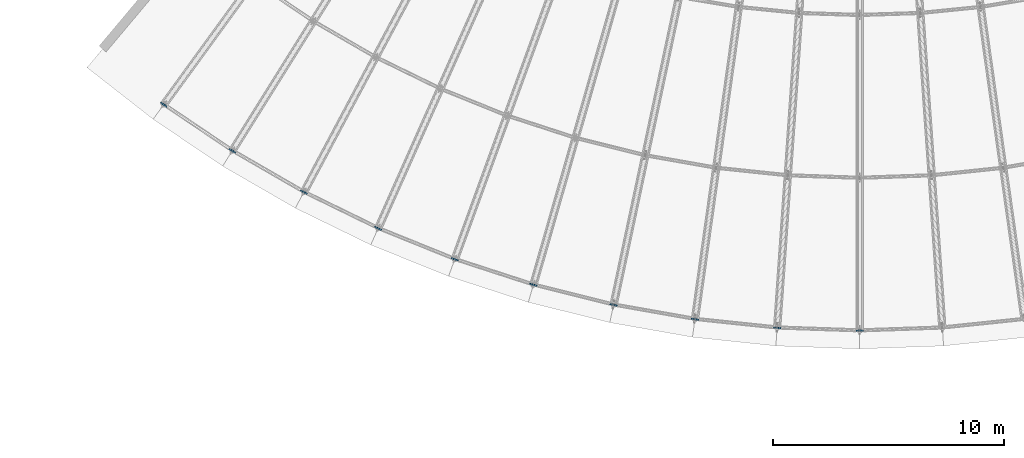
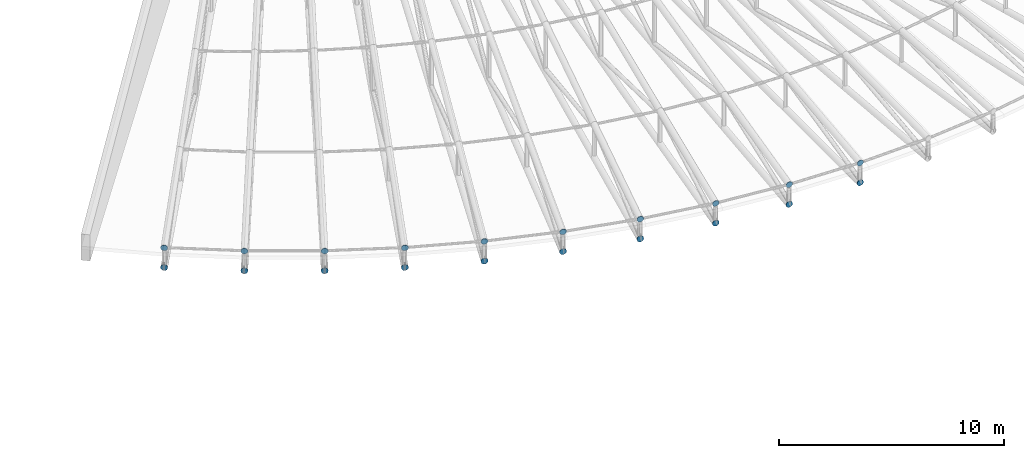
# One storey, part 106 of 163: 20 plates.
"""IFC4 building model written with IfcOpenShell, lengths in metres."""

import ifcopenshell
import ifcopenshell.guid

model = None  # the IFC model being written
_history = None  # IfcOwnerHistory: only IFC2X3 demands one
_inside = {}  # id of a spatial element -> (the spatial element, [elements in it])
_under = {}  # id of a project, library or spatial element -> (it, [spatial elements below it])
_declared = {}  # id of a project -> (the project, [libraries it declares])
_typed = {}  # id of a type object -> (the type object, [elements of that type])
_made_of = {}  # id of a material, layer set ... -> (it, [elements and type objects made of it])


def new_model(schema):
    """Start an empty IFC model of exactly this schema.

    Asked for "IFC4X3", IfcOpenShell would pick the latest addendum, in which some entities
    have other attributes; the version numbers below select the first issue.
    IFC2X3 requires an IfcOwnerHistory on every rooted entity: one is made here for all.
    """
    global model, _history
    if schema == "IFC4X3":
        model = ifcopenshell.file(schema_version=(4, 3, 0, 0))
    else:
        model = ifcopenshell.file(schema=schema)
    _inside.clear()
    _under.clear()
    _declared.clear()
    _typed.clear()
    _made_of.clear()
    _history = None
    if model.schema == "IFC2X3":
        org = make("IfcOrganization", Name="unknown")
        user = make(
            "IfcPersonAndOrganization",
            ThePerson=make("IfcPerson", FamilyName="unknown"),
            TheOrganization=org,
        )
        app = make(
            "IfcApplication",
            ApplicationDeveloper=org,
            Version="unknown",
            ApplicationFullName="unknown",
            ApplicationIdentifier="unknown",
        )
        _history = make(
            "IfcOwnerHistory",
            OwningUser=user,
            OwningApplication=app,
            ChangeAction="ADDED",
            CreationDate=0,
        )
    return model


def make(cls, **values):
    """One entity of the class cls with the attributes given. An attribute that is None is left unset."""
    return model.create_entity(
        cls, **{name: value for name, value in values.items() if value is not None}
    )


def rooted(cls, **values):
    """An entity with a GlobalId (a new one), such as an element, a storey or a relation."""
    return make(cls, GlobalId=ifcopenshell.guid.new(), OwnerHistory=_history, **values)


def si_unit(unit_type, name, prefix=None):
    """IfcSIUnit, for example si_unit("LENGTHUNIT", "METRE", prefix="MILLI")."""
    return make("IfcSIUnit", UnitType=unit_type, Prefix=prefix, Name=name)


def assignment(units):
    """IfcUnitAssignment: the units of a project."""
    return None if units is None else make("IfcUnitAssignment", Units=units)


def point(xyz):
    """IfcCartesianPoint."""
    return None if xyz is None else make("IfcCartesianPoint", Coordinates=xyz)


def direction(xyz):
    """IfcDirection."""
    return None if xyz is None else make("IfcDirection", DirectionRatios=xyz)


def frame(location, z_axis=None, x_axis=None):
    """IfcAxis2Placement3D, a coordinate frame: its origin and axes. An axis left out is left unset."""
    return make(
        "IfcAxis2Placement3D",
        Location=point(location),
        Axis=direction(z_axis),
        RefDirection=direction(x_axis),
    )


def frame_2d(location, x_axis=None):
    """IfcAxis2Placement2D, a coordinate frame in the plane: its origin and x axis."""
    return make(
        "IfcAxis2Placement2D", Location=point(location), RefDirection=direction(x_axis)
    )


def origin():
    """The frame at (0, 0, 0) with its axes left unset."""
    return frame((0.0, 0.0, 0.0))


def origin_2d():
    """The frame at (0, 0) in the plane with its x axis left unset."""
    return frame_2d((0.0, 0.0))


def place(relative_to, where):
    """IfcLocalPlacement: puts the frame where relative to a parent placement (None: the world)."""
    return make(
        "IfcLocalPlacement", PlacementRelTo=relative_to, RelativePlacement=where
    )


def context(
    kind, dimensions, precision=None, world=None, true_north=None, identifier=None
):
    """IfcGeometricRepresentationContext, for example the 3D "Model" context."""
    return make(
        "IfcGeometricRepresentationContext",
        ContextIdentifier=identifier,
        ContextType=kind,
        CoordinateSpaceDimension=dimensions,
        Precision=precision,
        WorldCoordinateSystem=world,
        TrueNorth=true_north,
    )


def subcontext(parent, identifier, kind, view, scale=None):
    """IfcGeometricRepresentationSubContext, for example "Body" below "Model"."""
    return make(
        "IfcGeometricRepresentationSubContext",
        ContextIdentifier=identifier,
        ContextType=kind,
        ParentContext=parent,
        TargetScale=scale,
        TargetView=view,
    )


def project(units=None, contexts=None):
    """IfcProject with its units and contexts."""
    return rooted(
        "IfcProject",
        Name="project",
        RepresentationContexts=contexts,
        UnitsInContext=assignment(units),
    )


def spatial(cls, under=None, at=None, **own):
    """A site, building, storey or space (cls), placed at a placement, below another one or the project."""
    s = rooted(cls, ObjectPlacement=at, **own)
    if under is not None:
        _under.setdefault(under.id(), (under, []))[1].append(s)
    return s


def profile(cls, at=None, kind="AREA", **sizes):
    """A parametric profile (cls). Its sizes go by their IFC names, for example OverallWidth=200.0."""
    return make(cls, ProfileType=kind, Position=at, **sizes)


def circle(**sizes):
    """IfcCircleProfileDef."""
    return profile("IfcCircleProfileDef", **sizes)


def extrude(swept, where, along, depth):
    """IfcExtrudedAreaSolid: the profile swept, set in the frame where, extruded along a direction by depth."""
    return make(
        "IfcExtrudedAreaSolid",
        SweptArea=swept,
        Position=where,
        ExtrudedDirection=direction(along),
        Depth=depth,
    )


def shape(context_of_items, identifier, shape_type, items):
    """IfcShapeRepresentation: the items that make up one representation, for example the "Body"."""
    return make(
        "IfcShapeRepresentation",
        ContextOfItems=context_of_items,
        RepresentationIdentifier=identifier,
        RepresentationType=shape_type,
        Items=items,
    )


def material(Name=None, Category=None):
    """IfcMaterial."""
    return make("IfcMaterial", Name=Name, Category=Category)


def material_profile(
    of_material, cross_section, Name=None, Category=None, Priority=None
):
    """IfcMaterialProfile: a cross section and its material."""
    return make(
        "IfcMaterialProfile",
        Name=Name,
        Material=of_material,
        Profile=cross_section,
        Priority=Priority,
        Category=Category,
    )


def profile_set(profiles, Name=None, composite=None):
    """IfcMaterialProfileSet."""
    return make(
        "IfcMaterialProfileSet",
        Name=Name,
        MaterialProfiles=profiles,
        CompositeProfile=composite,
    )


def made_of(thing, what):
    """Note that an element or type object is made of a material, layer set ...; save() writes the relation."""
    if what is not None:
        _made_of.setdefault(what.id(), (what, []))[1].append(thing)
    return thing


def type_object(cls, material=None, **own):
    """A type object (cls), such as IfcWallType, which elements share."""
    return made_of(rooted(cls, **own), material)


def element(
    cls,
    number,
    at=None,
    inside=None,
    cuts=None,
    type_object=None,
    material=None,
    context=None,
    identifier="Body",
    shape_type=None,
    held_by="IfcProductDefinitionShape",
    body=None,
    shapes=None,
    **own,
):
    """One element of the class cls, such as IfcWall. Its Tag is "e" and its number.

    at: its placement. inside: the storey or other place that contains it. cuts: it is an
    opening in that element (IfcRelVoidsElement). A single representation is given by context,
    identifier, shape_type and body (its items); several are given by shapes. held_by: the class
    of the entity that holds the representations. save() writes the other relations.
    """
    e = rooted(cls, Tag="e%d" % number, ObjectPlacement=at, **own)
    if body is not None:
        shapes = [shape(context, identifier, shape_type, body)]
    if shapes is not None:
        e.Representation = make(held_by, Representations=shapes)
    if inside is not None:
        _inside.setdefault(inside.id(), (inside, []))[1].append(e)
    if cuts is not None:
        rooted(
            "IfcRelVoidsElement", RelatingBuildingElement=cuts, RelatedOpeningElement=e
        )
    if type_object is not None:
        _typed.setdefault(type_object.id(), (type_object, []))[1].append(e)
    return made_of(e, material)


def aggregate(whole, parts):
    """IfcRelAggregates: a whole, such as a stair, and the parts it consists of."""
    return rooted("IfcRelAggregates", RelatingObject=whole, RelatedObjects=parts)


def save(model, path):
    """Write the relations noted so far, then the file.

    IfcRelAggregates (storeys below a building ...), IfcRelContainedInSpatialStructure (elements
    in a storey), IfcRelDefinesByType, IfcRelAssociatesMaterial and IfcRelDeclares: one each for
    every whole, place, type object, material and project.
    """
    for whole, parts in _under.values():
        aggregate(whole, parts)
    for where, things in _inside.values():
        rooted(
            "IfcRelContainedInSpatialStructure",
            RelatedElements=things,
            RelatingStructure=where,
        )
    for kind, things in _typed.values():
        rooted("IfcRelDefinesByType", RelatedObjects=things, RelatingType=kind)
    for what, things in _made_of.values():
        rooted("IfcRelAssociatesMaterial", RelatedObjects=things, RelatingMaterial=what)
    for by, libraries in _declared.values():
        rooted("IfcRelDeclares", RelatingContext=by, RelatedDefinitions=libraries)
    model.write(path)


model = new_model("IFC4")

# Units and contexts
model_context = context("Model", 3, precision=1e-05, world=origin(), true_north=direction((0.0, 1.0)))
body_context = subcontext(model_context, "Body", "Model", "MODEL_VIEW")
ifc_project = project(units=[si_unit("LENGTHUNIT", "METRE"), si_unit("AREAUNIT", "SQUARE_METRE"), si_unit("VOLUMEUNIT", "CUBIC_METRE"), si_unit("PLANEANGLEUNIT", "RADIAN"), si_unit("MASSUNIT", "GRAM", prefix="KILO")], contexts=[model_context])

# Site, building, storey
site_placement = place(None, origin())
site = spatial("IfcSite", under=ifc_project, at=site_placement, CompositionType="ELEMENT")
building_placement = place(site_placement, origin())
building = spatial("IfcBuilding", under=site, at=building_placement, Name="Rain Tree Exposition and Congress Centre", CompositionType="ELEMENT")
storey_placement = place(building_placement, frame((0.0, 0.0, 10.5)))
storey = spatial("IfcBuildingStorey", under=building, at=storey_placement, Name="L02", CompositionType="ELEMENT", Elevation=10.5)

# Plates
ifc_material = material(Name="Steel S355J2", Category="steel")
ifc_material_profile = material_profile(ifc_material, circle(Radius=0.1591796875, at=origin_2d()), Name="CIRCLE 318")
ifc_profile_set = profile_set([ifc_material_profile], Name="Steel S355J2")
plate_type = type_object("IfcPlateType", Name="Chord end plate 30 CHS 318", PredefinedType="SHEET", material=ifc_profile_set)
for number, where, z_axis, x_axis, name in (
    (1, (171.48779296875, 25.75390625, 0.1591796875), (0.584304725845, 0.811534341451, 0.0), (-0.811534341451, 0.584304725845, 0.0), "End plate TC1-1"),
    (2, (171.48779296875, 25.754150390625, 1.2255859375), (0.584362456811, 0.803498378115, 0.113626033269), (-0.808736084303, 0.588171697675, 0.0), "End plate TT1-1"),
    (3, (174.4521484375, 23.75439453125, 0.1591796875), (0.529998940003, 0.847998304005, 0.0), (-0.847998304005, 0.529998940003, 0.0), "End plate TC2-1"),
):
    element("IfcPlate", number, at=place(storey_placement, frame(where, z_axis=z_axis, x_axis=x_axis)), inside=storey, type_object=plate_type, Name=name, PredefinedType="SHEET", context=body_context, shape_type="SweptSolid", body=[
        extrude(circle(Radius=0.1591796875, at=origin_2d()), origin(), (0.0, 0.0, 1.0), 0.030029296875),
    ])
plate_placement = place(storey_placement, frame((174.452392578125, 23.754638671875, 1.2255859375), z_axis=(0.524290835775, 0.843780563826, 0.114688620326), x_axis=(-0.849385240817, 0.527773353517, 0.0)))
element("IfcPlate", 4, at=plate_placement, inside=storey, type_object=plate_type, Name="End plate TT2-1", PredefinedType="SHEET", context=body_context, shape_type="SweptSolid", body=[
    extrude(circle(Radius=0.1591796875, at=origin_2d()), origin(), (0.0, 0.0, 1.0), 0.02978515625),
])
for number, where, z_axis, x_axis, name in (
    (5, (177.549072265625, 21.966552734375, 0.1591796875), (0.463399319464, 0.886149575817, 0.0), (-0.886149575817, 0.463399319464, 0.0), "End plate TC3-1"),
    (6, (177.549072265625, 21.966796875, 1.2255859375), (0.463721247012, 0.87862973118, 0.113896446634), (-0.884384752847, 0.466758619558, 0.0), "End plate TT3-1"),
    (7, (180.762939453125, 20.399169921875, 0.1591796875), (0.407650840374, 0.913137882438, 0.0), (-0.913137882438, 0.407650840374, 0.0), "End plate TC4-1"),
    (8, (180.762939453125, 20.3994140625, 1.2255859375), (0.40801714622, 0.905798064608, 0.114244800942), (-0.911767746591, 0.410706192158, 0.0), "End plate TT4-1"),
):
    element("IfcPlate", number, at=place(storey_placement, frame(where, z_axis=z_axis, x_axis=x_axis)), inside=storey, type_object=plate_type, Name=name, PredefinedType="SHEET", context=body_context, shape_type="SweptSolid", body=[
        extrude(circle(Radius=0.1591796875, at=origin_2d()), origin(), (0.0, 0.0, 1.0), 0.030029296875),
    ])
for number, where, z_axis, x_axis, name in (
    (9, (184.078369140625, 19.0595703125, 0.1591796875), (0.343054373663, 0.939315546933, 0.0), (-0.939315546933, 0.343054373663, 0.0), "End plate TC5-1"),
    (10, (184.078369140625, 19.059814453125, 1.2255859375), (0.343432635111, 0.932174295302, 0.114477545037), (-0.938343116817, 0.345705358827, 0.0), "End plate TT5-1"),
):
    element("IfcPlate", number, at=place(storey_placement, frame(where, z_axis=z_axis, x_axis=x_axis)), inside=storey, type_object=plate_type, Name=name, PredefinedType="SHEET", context=body_context, shape_type="SweptSolid", body=[
        extrude(circle(Radius=0.1591796875, at=origin_2d()), origin(), (0.0, 0.0, 1.0), 0.02978515625),
    ])
for number, where, z_axis, x_axis, name in (
    (11, (187.47900390625, 17.95458984375, 0.1591796875), (0.276871495343, 0.960906954427, 0.0), (-0.960906954427, 0.276871495343, 0.0), "End plate TC6-1"),
    (12, (187.479248046875, 17.95458984375, 1.2255859375), (0.267586137009, 0.956823156577, 0.113521391458), (-0.963048734757, 0.269327188534, 0.0), "End plate TT6-1"),
    (13, (190.94873046875, 17.089599609375, 0.1591796875), (0.203954254112, 0.978980419738, 0.0), (-0.978980419738, 0.203954254112, 0.0), "End plate TC7-1"),
    (14, (190.94873046875, 17.089599609375, 1.2255859375), (0.202636845328, 0.972656857577, 0.113476633384), (-0.978980419738, 0.203954254112, 0.0), "End plate TT7-1"),
    (15, (194.47021484375, 16.468505859375, 0.1591796875), (0.138010837858, 0.990430718745, 0.0), (-0.990430718745, 0.138010837858, 0.0), "End plate TC8-1"),
    (16, (194.47021484375, 16.46875, 1.2255859375), (0.138225087442, 0.983837387087, 0.113832424952), (-0.990274204789, 0.139129433731, 0.0), "End plate TT8-1"),
    (17, (198.0263671875, 16.0947265625, 0.1591796875), (0.072975638312, 0.997333723592, 0.0), (-0.997333723592, 0.072975638312, 0.0), "End plate TC9-1"),
    (18, (198.0263671875, 16.094970703125, 1.2255859375), (0.073093470965, 0.99082260641, 0.113700954834), (-0.997290013252, 0.073570574748, 0.0), "End plate TT9-1"),
    (19, (201.60009765625, 15.969970703125, 0.1591796875), (0.0, 1.0, 0.0), (-1.0, 0.0, 0.0), "End plate TC10-1"),
    (20, (201.60009765625, 15.97021484375, 1.2255859375), (0.0, 0.993480071526, 0.114005909847), (-1.0, 0.0, 0.0), "End plate TT10-1"),
):
    element("IfcPlate", number, at=place(storey_placement, frame(where, z_axis=z_axis, x_axis=x_axis)), inside=storey, type_object=plate_type, Name=name, PredefinedType="SHEET", context=body_context, shape_type="SweptSolid", body=[
        extrude(circle(Radius=0.1591796875, at=origin_2d()), origin(), (0.0, 0.0, 1.0), 0.030029296875),
    ])

save(model, "model.ifc")
